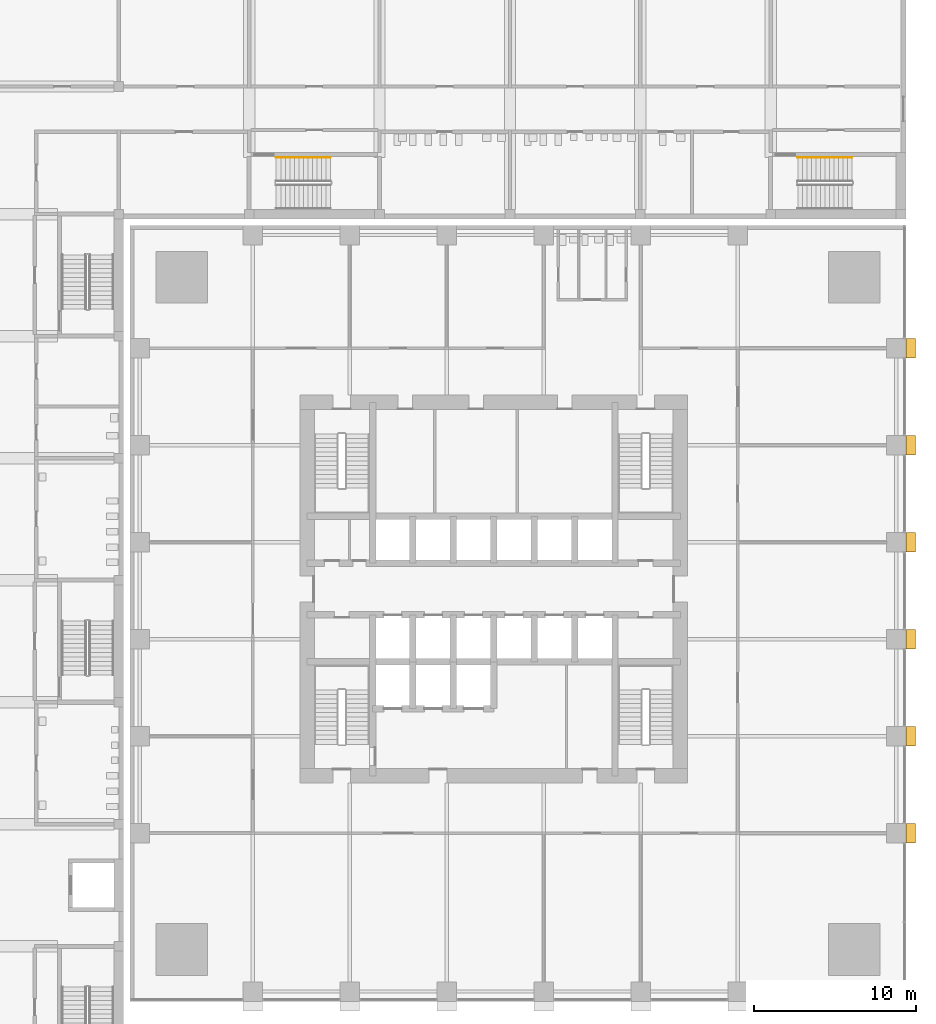
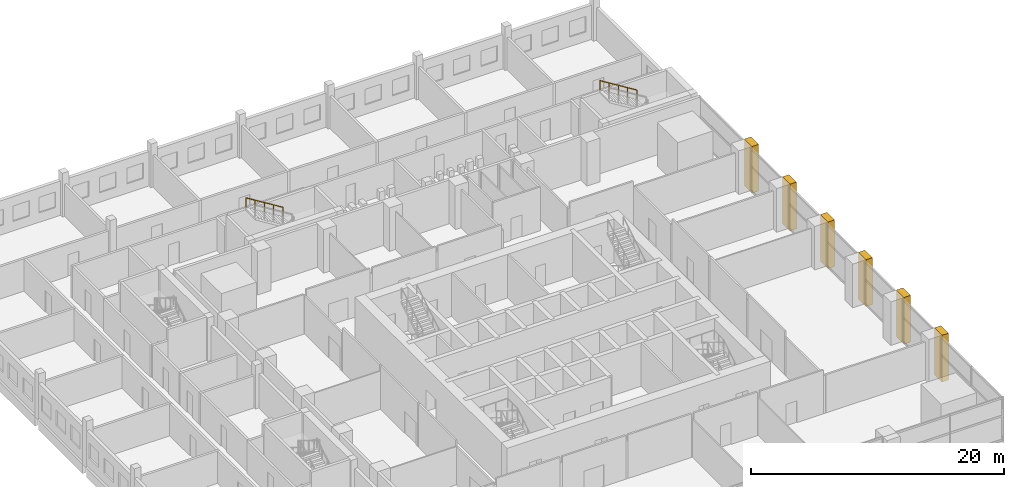
# One storey, part 24 of 25: 6 coverings, 2 railings.
"""IFC4 building model written with IfcOpenShell, lengths in metres."""

from ifc_helpers import new_model, si_unit, direction, frame, origin, origin_2d, place, context, subcontext, project, spatial, polyline, circle, outline, extrude, material, layer, layer_set, type_object, element, save


model = new_model("IFC4")

# Units and contexts
model_context = context("Model", 3, precision=1e-05, world=origin(), true_north=direction((0.0, 1.0)))
body_context = subcontext(model_context, "Body", "Model", "MODEL_VIEW")
ifc_project = project(units=[si_unit("LENGTHUNIT", "METRE"), si_unit("AREAUNIT", "SQUARE_METRE"), si_unit("VOLUMEUNIT", "CUBIC_METRE"), si_unit("PLANEANGLEUNIT", "RADIAN"), si_unit("MASSUNIT", "GRAM", prefix="KILO")], contexts=[model_context])

# Site, building, storey
site_placement = place(None, origin())
site = spatial("IfcSite", under=ifc_project, at=site_placement, CompositionType="ELEMENT")
building_placement = place(site_placement, origin())
building = spatial("IfcBuilding", under=site, at=building_placement, Name="Amberfall Residences", CompositionType="ELEMENT")
storey_placement = place(building_placement, frame((0.0, 0.0, 14.5)))
storey = spatial("IfcBuildingStorey", under=building, at=storey_placement, Name="L03", CompositionType="ELEMENT", Elevation=14.5)

# Coverings
ifc_material_1 = material(Name="Pale stone cladding on insulated backing", Category="masonry")
ifc_layer = layer(ifc_material_1, 1.199951171875)
ifc_layer_set = layer_set([ifc_layer], Name="Podium stone pier 1200 x 600")
covering_type = type_object("IfcCoveringType", Name="Podium stone pier 1200 x 600", PredefinedType="CLADDING", material=ifc_layer_set)
covering_1_placement = place(storey_placement, frame((0.0, 0.0, -0.300048828125)))
element("IfcCovering", 1, at=covering_1_placement, inside=storey, type_object=covering_type, Name="Podium pier L03 E1", PredefinedType="CLADDING", context=body_context, shape_type="SweptSolid", body=[
    extrude(outline(polyline([(100.0, 29.800048828125), (100.0, 31.0), (100.60009765625, 31.0), (100.60009765625, 29.800048828125), (100.0, 29.800048828125)])), origin(), (0.0, 0.0, 1.0), 4.5),
])
covering_2_placement = place(storey_placement, frame((0.0, 0.0, -0.300048828125)))
element("IfcCovering", 2, at=covering_2_placement, inside=storey, type_object=covering_type, Name="Podium pier L03 E2", PredefinedType="CLADDING", context=body_context, shape_type="SweptSolid", body=[
    extrude(outline(polyline([(100.0, 35.800048828125), (100.0, 37.0), (100.60009765625, 37.0), (100.60009765625, 35.800048828125), (100.0, 35.800048828125)])), origin(), (0.0, 0.0, 1.0), 4.5),
])
covering_3_placement = place(storey_placement, frame((0.0, 0.0, -0.300048828125)))
element("IfcCovering", 3, at=covering_3_placement, inside=storey, type_object=covering_type, Name="Podium pier L03 E3", PredefinedType="CLADDING", context=body_context, shape_type="SweptSolid", body=[
    extrude(outline(polyline([(100.0, 41.800048828125), (100.0, 43.0), (100.60009765625, 43.0), (100.60009765625, 41.800048828125), (100.0, 41.800048828125)])), origin(), (0.0, 0.0, 1.0), 4.5),
])
covering_4_placement = place(storey_placement, frame((0.0, 0.0, -0.300048828125)))
element("IfcCovering", 4, at=covering_4_placement, inside=storey, type_object=covering_type, Name="Podium pier L03 E4", PredefinedType="CLADDING", context=body_context, shape_type="SweptSolid", body=[
    extrude(outline(polyline([(100.0, 47.800048828125), (100.0, 49.0), (100.60009765625, 49.0), (100.60009765625, 47.800048828125), (100.0, 47.800048828125)])), origin(), (0.0, 0.0, 1.0), 4.5),
])
covering_5_placement = place(storey_placement, frame((0.0, 0.0, -0.300048828125)))
element("IfcCovering", 5, at=covering_5_placement, inside=storey, type_object=covering_type, Name="Podium pier L03 E5", PredefinedType="CLADDING", context=body_context, shape_type="SweptSolid", body=[
    extrude(outline(polyline([(100.0, 53.800048828125), (100.0, 55.0), (100.60009765625, 55.0), (100.60009765625, 53.800048828125), (100.0, 53.800048828125)])), origin(), (0.0, 0.0, 1.0), 4.5),
])
covering_6_placement = place(storey_placement, frame((0.0, 0.0, -0.300048828125)))
element("IfcCovering", 6, at=covering_6_placement, inside=storey, type_object=covering_type, Name="Podium pier L03 E6", PredefinedType="CLADDING", context=body_context, shape_type="SweptSolid", body=[
    extrude(outline(polyline([(100.0, 59.800048828125), (100.0, 61.0), (100.60009765625, 61.0), (100.60009765625, 59.800048828125), (100.0, 59.800048828125)])), origin(), (0.0, 0.0, 1.0), 4.5),
])

# Railings
ifc_material_2 = material(Name="Stainless steel", Category="steel")
railing_type = type_object("IfcRailingType", Name="School stair handrail", PredefinedType="HANDRAIL", material=ifc_material_2)
railing_1_placement = place(storey_placement, frame((64.402099609375, 72.199951171875, 2.423095703125)))
element("IfcRailing", 7, at=railing_1_placement, inside=storey, type_object=railing_type, Name="L03 SS4 stair handrail 2", PredefinedType="HANDRAIL", context=body_context, shape_type="SweptSolid", body=[
    extrude(circle(Radius=0.02392578125, at=origin_2d()), frame((0.0, 0.0, 0.8759765625), z_axis=(-0.850623216509, 0.0, 0.525775754039), x_axis=(0.0, -1.0, 0.0)), (0.0, 0.0, 1.0), 3.9501953125),
    extrude(circle(Radius=0.02099609375, at=origin_2d()), origin(), (0.0, 0.0, 1.0), 0.851806640625),
    extrude(circle(Radius=0.02099609375, at=origin_2d()), frame((-0.840087890625, 0.0, 0.519287109375)), (0.0, 0.0, 1.0), 0.851806640625),
    extrude(circle(Radius=0.02099609375, at=origin_2d()), frame((-1.68017578125, 0.0, 1.03857421875)), (0.0, 0.0, 1.0), 0.851806640625),
    extrude(circle(Radius=0.02099609375, at=origin_2d()), frame((-2.52001953125, 0.0, 1.5576171875)), (0.0, 0.0, 1.0), 0.851806640625),
    extrude(circle(Radius=0.02099609375, at=origin_2d()), frame((-3.360107421875, 0.0, 2.076904296875)), (0.0, 0.0, 1.0), 0.851806640625),
])
railing_2_placement = place(storey_placement, frame((96.66796875, 72.199951171875, 2.423095703125)))
element("IfcRailing", 8, at=railing_2_placement, inside=storey, type_object=railing_type, Name="L03 SS5 stair handrail 2", PredefinedType="HANDRAIL", context=body_context, shape_type="SweptSolid", body=[
    extrude(circle(Radius=0.02392578125, at=origin_2d()), frame((0.0, 0.0, 0.8759765625), z_axis=(-0.850606129759, 0.0, 0.525803396734), x_axis=(0.0, -1.0, 0.0)), (0.0, 0.0, 1.0), 3.949951171875),
    extrude(circle(Radius=0.02099609375, at=origin_2d()), origin(), (0.0, 0.0, 1.0), 0.851806640625),
    extrude(circle(Radius=0.02099609375, at=origin_2d()), frame((-0.83984375, 0.0, 0.519287109375)), (0.0, 0.0, 1.0), 0.851806640625),
    extrude(circle(Radius=0.02099609375, at=origin_2d()), frame((-1.679931640625, 0.0, 1.03857421875)), (0.0, 0.0, 1.0), 0.851806640625),
    extrude(circle(Radius=0.02099609375, at=origin_2d()), frame((-2.52001953125, 0.0, 1.5576171875)), (0.0, 0.0, 1.0), 0.851806640625),
    extrude(circle(Radius=0.02099609375, at=origin_2d()), frame((-3.35986328125, 0.0, 2.076904296875)), (0.0, 0.0, 1.0), 0.851806640625),
])

save(model, "model.ifc")
